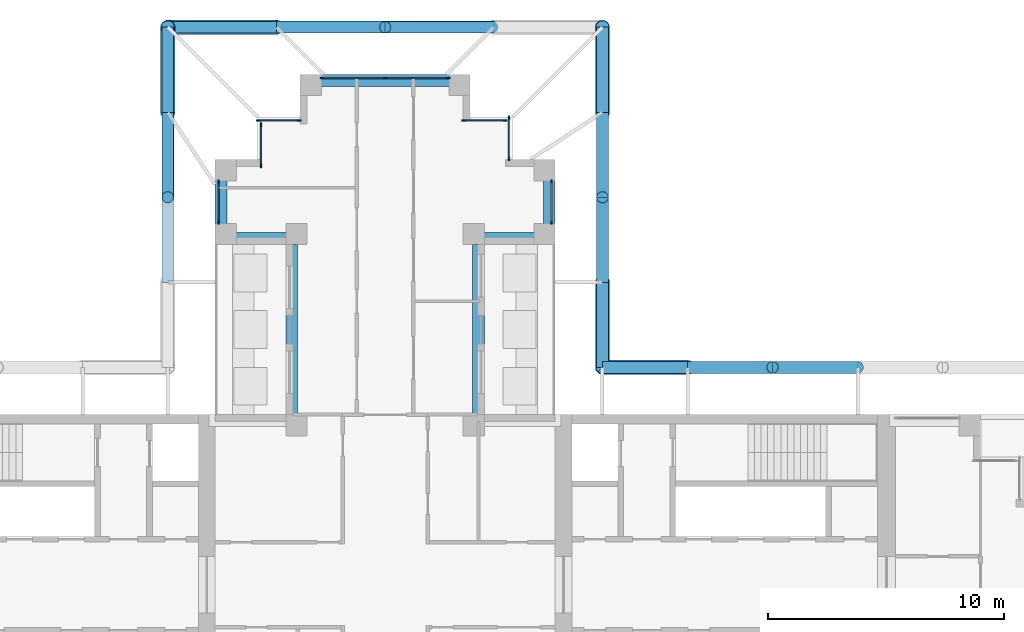
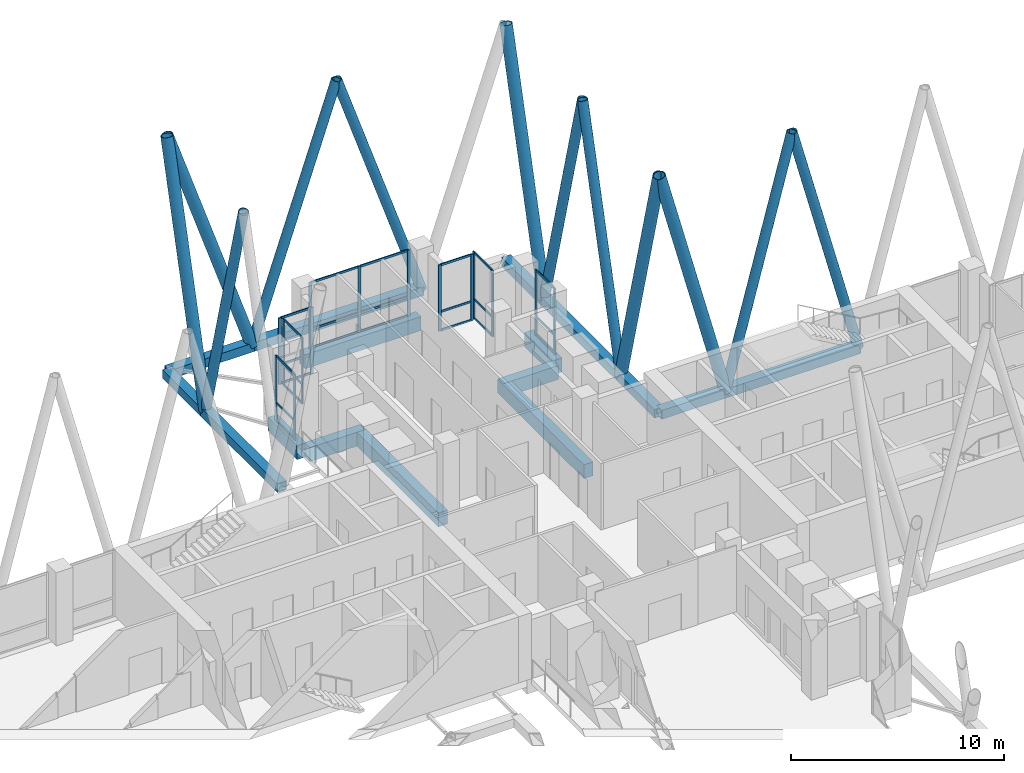
# One storey, part 6 of 19: 60 members, 7 beams, 7 elements without a shape of their own.
"""IFC4 building model written with IfcOpenShell, lengths in metres."""

from ifc_helpers import new_model, si_unit, direction, frame, origin, origin_2d, place, context, subcontext, project, spatial, rectangle, hollow_rectangle, hollow_circle, extrude, material, material_profile, profile_set, type_object, element, aggregate, save


model = new_model("IFC4")

# Units and contexts
model_context = context("Model", 3, precision=1e-05, world=origin(), true_north=direction((0.0, 1.0)))
body_context = subcontext(model_context, "Body", "Model", "MODEL_VIEW")
ifc_project = project(units=[si_unit("LENGTHUNIT", "METRE"), si_unit("AREAUNIT", "SQUARE_METRE"), si_unit("VOLUMEUNIT", "CUBIC_METRE"), si_unit("PLANEANGLEUNIT", "RADIAN"), si_unit("MASSUNIT", "GRAM", prefix="KILO")], contexts=[model_context])

# Site, building, storey
site_placement = place(None, origin())
site = spatial("IfcSite", under=ifc_project, at=site_placement, CompositionType="ELEMENT")
building_placement = place(site_placement, origin())
building = spatial("IfcBuilding", under=site, at=building_placement, Name="Fustian Cross Tower", CompositionType="ELEMENT")
storey_placement = place(building_placement, frame((0.0, 0.0, 166.5)))
storey = spatial("IfcBuildingStorey", under=building, at=storey_placement, Name="L52", CompositionType="ELEMENT", Elevation=166.5)

# Curtain wall, members
ifc_material_1 = material(Name="Dark anodised aluminium and double glazing", Category="aluminium")
curtain_wall_type = type_object("IfcCurtainWallType", Name="CW1 LOUNGE CURTAIN WALL", PredefinedType="NOTDEFINED", material=ifc_material_1)
curtain_wall_1_placement = place(storey_placement, origin())
curtain_wall_1 = element("IfcCurtainWall", 1, at=curtain_wall_1_placement, inside=storey, type_object=curtain_wall_type, Name="Curtain wall", PredefinedType="NOTDEFINED")
ifc_material_2 = material(Name="Aluminium alloy 6063", Category="aluminium")
ifc_material_profile_1 = material_profile(ifc_material_2, rectangle(XDim=0.06005859375, YDim=0.159912109375, at=origin_2d()), Name="CW1 MULLION 60X160")
ifc_profile_set_1 = profile_set([ifc_material_profile_1], Name="Aluminium alloy 6063")
member_type_1 = type_object("IfcMemberType", Name="CW1 MULLION 60X160", PredefinedType="MULLION", material=ifc_profile_set_1)
member_1_placement = place(storey_placement, frame((7.050048828125, 15.330078125, 0.0), z_axis=(0.0, 0.0, 1.0), x_axis=(-1.0, 0.0, 0.0)))
member_1 = element("IfcMember", 2, at=member_1_placement, type_object=member_type_1, Name="CW1 mullion 1", PredefinedType="MULLION", context=body_context, shape_type="SweptSolid", body=[
    extrude(rectangle(XDim=0.06005859375, YDim=0.159912109375, at=origin_2d()), origin(), (0.0, 0.0, 1.0), 3.800048828125),
])
member_2_placement = place(storey_placement, frame((7.050048828125, 17.070068359375, 0.0), z_axis=(0.0, 0.0, 1.0), x_axis=(-1.0, 0.0, 0.0)))
member_2 = element("IfcMember", 3, at=member_2_placement, type_object=member_type_1, Name="CW1 mullion 2", PredefinedType="MULLION", context=body_context, shape_type="SweptSolid", body=[
    extrude(rectangle(XDim=0.06005859375, YDim=0.159912109375, at=origin_2d()), origin(), (0.0, 0.0, 1.0), 3.800048828125),
])

curtain_wall_2_placement = place(storey_placement, origin())
curtain_wall_2 = element("IfcCurtainWall", 4, at=curtain_wall_2_placement, inside=storey, type_object=curtain_wall_type, Name="Curtain wall", PredefinedType="NOTDEFINED")
member_3_placement = place(storey_placement, frame((5.25, 18.030029296875, 0.0), z_axis=(0.0, 0.0, 1.0), x_axis=(-1.0, 0.0, 0.0)))
member_3 = element("IfcMember", 5, at=member_3_placement, type_object=member_type_1, Name="CW1 mullion 1", PredefinedType="MULLION", context=body_context, shape_type="SweptSolid", body=[
    extrude(rectangle(XDim=0.06005859375, YDim=0.159912109375, at=origin_2d()), origin(), (0.0, 0.0, 1.0), 3.800048828125),
])
member_4_placement = place(storey_placement, frame((5.25, 19.77001953125, 0.0), z_axis=(0.0, 0.0, 1.0), x_axis=(-1.0, 0.0, 0.0)))
member_4 = element("IfcMember", 6, at=member_4_placement, type_object=member_type_1, Name="CW1 mullion 2", PredefinedType="MULLION", context=body_context, shape_type="SweptSolid", body=[
    extrude(rectangle(XDim=0.06005859375, YDim=0.159912109375, at=origin_2d()), origin(), (0.0, 0.0, 1.0), 3.800048828125),
])

curtain_wall_3_placement = place(storey_placement, origin())
curtain_wall_3 = element("IfcCurtainWall", 7, at=curtain_wall_3_placement, inside=storey, type_object=curtain_wall_type, Name="Curtain wall", PredefinedType="NOTDEFINED")
member_5_placement = place(storey_placement, frame((5.070068359375, 19.64990234375, 0.0), z_axis=(0.0, 0.0, 1.0), x_axis=(0.0, -1.0, 0.0)))
member_5 = element("IfcMember", 8, at=member_5_placement, type_object=member_type_1, Name="CW1 mullion 1", PredefinedType="MULLION", context=body_context, shape_type="SweptSolid", body=[
    extrude(rectangle(XDim=0.06005859375, YDim=0.159912109375, at=origin_2d()), origin(), (0.0, 0.0, 1.0), 3.800048828125),
])
member_6_placement = place(storey_placement, frame((3.330078125, 19.64990234375, 0.0), z_axis=(0.0, 0.0, 1.0), x_axis=(0.0, -1.0, 0.0)))
member_6 = element("IfcMember", 9, at=member_6_placement, type_object=member_type_1, Name="CW1 mullion 2", PredefinedType="MULLION", context=body_context, shape_type="SweptSolid", body=[
    extrude(rectangle(XDim=0.06005859375, YDim=0.159912109375, at=origin_2d()), origin(), (0.0, 0.0, 1.0), 3.800048828125),
])

curtain_wall_4_placement = place(storey_placement, origin())
curtain_wall_4 = element("IfcCurtainWall", 10, at=curtain_wall_4_placement, inside=storey, type_object=curtain_wall_type, Name="Curtain wall", PredefinedType="NOTDEFINED")
member_7_placement = place(storey_placement, frame((2.669921875, 21.449951171875, 0.0), z_axis=(0.0, 0.0, 1.0), x_axis=(0.0, -1.0, 0.0)))
member_7 = element("IfcMember", 11, at=member_7_placement, type_object=member_type_1, Name="CW1 mullion 1", PredefinedType="MULLION", context=body_context, shape_type="SweptSolid", body=[
    extrude(rectangle(XDim=0.06005859375, YDim=0.159912109375, at=origin_2d()), origin(), (0.0, 0.0, 1.0), 3.800048828125),
])
member_8_placement = place(storey_placement, frame((0.0, 21.449951171875, 0.0), z_axis=(0.0, 0.0, 1.0), x_axis=(0.0, -1.0, 0.0)))
member_8 = element("IfcMember", 12, at=member_8_placement, type_object=member_type_1, Name="CW1 mullion 2", PredefinedType="MULLION", context=body_context, shape_type="SweptSolid", body=[
    extrude(rectangle(XDim=0.06005859375, YDim=0.159912109375, at=origin_2d()), origin(), (0.0, 0.0, 1.0), 3.800048828125),
])
member_9_placement = place(storey_placement, frame((-2.669921875, 21.449951171875, 0.0), z_axis=(0.0, 0.0, 1.0), x_axis=(0.0, -1.0, 0.0)))
member_9 = element("IfcMember", 13, at=member_9_placement, type_object=member_type_1, Name="CW1 mullion 3", PredefinedType="MULLION", context=body_context, shape_type="SweptSolid", body=[
    extrude(rectangle(XDim=0.06005859375, YDim=0.159912109375, at=origin_2d()), origin(), (0.0, 0.0, 1.0), 3.800048828125),
])

curtain_wall_5_placement = place(storey_placement, origin())
curtain_wall_5 = element("IfcCurtainWall", 14, at=curtain_wall_5_placement, inside=storey, type_object=curtain_wall_type, Name="Curtain wall", PredefinedType="NOTDEFINED")
member_10_placement = place(storey_placement, frame((-3.6298828125, 19.64990234375, 0.0), z_axis=(0.0, 0.0, 1.0), x_axis=(0.0, -1.0, 0.0)))
member_10 = element("IfcMember", 15, at=member_10_placement, type_object=member_type_1, Name="CW1 mullion 1", PredefinedType="MULLION", context=body_context, shape_type="SweptSolid", body=[
    extrude(rectangle(XDim=0.06005859375, YDim=0.159912109375, at=origin_2d()), origin(), (0.0, 0.0, 1.0), 3.800048828125),
])
member_11_placement = place(storey_placement, frame((-5.3701171875, 19.64990234375, 0.0), z_axis=(0.0, 0.0, 1.0), x_axis=(0.0, -1.0, 0.0)))
member_11 = element("IfcMember", 16, at=member_11_placement, type_object=member_type_1, Name="CW1 mullion 2", PredefinedType="MULLION", context=body_context, shape_type="SweptSolid", body=[
    extrude(rectangle(XDim=0.06005859375, YDim=0.159912109375, at=origin_2d()), origin(), (0.0, 0.0, 1.0), 3.800048828125),
])

curtain_wall_6_placement = place(storey_placement, origin())
curtain_wall_6 = element("IfcCurtainWall", 17, at=curtain_wall_6_placement, inside=storey, type_object=curtain_wall_type, Name="Curtain wall", PredefinedType="NOTDEFINED")
member_12_placement = place(storey_placement, frame((-5.25, 19.469970703125, 0.0), z_axis=(0.0, 0.0, 1.0), x_axis=(1.0, 0.0, 0.0)))
member_12 = element("IfcMember", 18, at=member_12_placement, type_object=member_type_1, Name="CW1 mullion 1", PredefinedType="MULLION", context=body_context, shape_type="SweptSolid", body=[
    extrude(rectangle(XDim=0.06005859375, YDim=0.159912109375, at=origin_2d()), origin(), (0.0, 0.0, 1.0), 3.800048828125),
])
member_13_placement = place(storey_placement, frame((-5.25, 17.72998046875, 0.0), z_axis=(0.0, 0.0, 1.0), x_axis=(1.0, 0.0, 0.0)))
member_13 = element("IfcMember", 19, at=member_13_placement, type_object=member_type_1, Name="CW1 mullion 2", PredefinedType="MULLION", context=body_context, shape_type="SweptSolid", body=[
    extrude(rectangle(XDim=0.06005859375, YDim=0.159912109375, at=origin_2d()), origin(), (0.0, 0.0, 1.0), 3.800048828125),
])

curtain_wall_7_placement = place(storey_placement, origin())
curtain_wall_7 = element("IfcCurtainWall", 20, at=curtain_wall_7_placement, inside=storey, type_object=curtain_wall_type, Name="Curtain wall", PredefinedType="NOTDEFINED")
member_14_placement = place(storey_placement, frame((-7.050048828125, 17.070068359375, 0.0), z_axis=(0.0, 0.0, 1.0), x_axis=(1.0, 0.0, 0.0)))
member_14 = element("IfcMember", 21, at=member_14_placement, type_object=member_type_1, Name="CW1 mullion 1", PredefinedType="MULLION", context=body_context, shape_type="SweptSolid", body=[
    extrude(rectangle(XDim=0.06005859375, YDim=0.159912109375, at=origin_2d()), origin(), (0.0, 0.0, 1.0), 3.800048828125),
])
member_15_placement = place(storey_placement, frame((-7.050048828125, 15.330078125, 0.0), z_axis=(0.0, 0.0, 1.0), x_axis=(1.0, 0.0, 0.0)))
member_15 = element("IfcMember", 22, at=member_15_placement, type_object=member_type_1, Name="CW1 mullion 2", PredefinedType="MULLION", context=body_context, shape_type="SweptSolid", body=[
    extrude(rectangle(XDim=0.06005859375, YDim=0.159912109375, at=origin_2d()), origin(), (0.0, 0.0, 1.0), 3.800048828125),
])

# Member
ifc_material_3 = material(Name="Aluminium alloy 6063", Category="aluminium")
ifc_material_profile_2 = material_profile(ifc_material_3, rectangle(XDim=0.06005859375, YDim=0.1201171875, at=origin_2d()), Name="CW1 TRANSOM 60X120")
ifc_profile_set_2 = profile_set([ifc_material_profile_2], Name="Aluminium alloy 6063")
member_type_2 = type_object("IfcMemberType", Name="CW1 TRANSOM 60X120", PredefinedType="USERDEFINED", material=ifc_profile_set_2)
member_16_placement = place(storey_placement, frame((7.050048828125, 15.360107421875, 0.030029296875), z_axis=(0.0, 1.0, 0.0), x_axis=(-1.0, 0.0, 0.0)))
member_16 = element("IfcMember", 23, at=member_16_placement, type_object=member_type_2, Name="CW1 transom 1.1", ObjectType="TRANSOM", PredefinedType="USERDEFINED", context=body_context, shape_type="SweptSolid", body=[
    extrude(rectangle(XDim=0.06005859375, YDim=0.1201171875, at=origin_2d()), origin(), (0.0, 0.0, 1.0), 1.679931640625),
])

member_17_placement = place(storey_placement, frame((7.050048828125, 15.360107421875, 1.10009765625), z_axis=(0.0, 1.0, 0.0), x_axis=(-1.0, 0.0, 0.0)))
member_17 = element("IfcMember", 24, at=member_17_placement, type_object=member_type_2, Name="CW1 transom 1.2", ObjectType="TRANSOM", PredefinedType="USERDEFINED", context=body_context, shape_type="SweptSolid", body=[
    extrude(rectangle(XDim=0.06005859375, YDim=0.1201171875, at=origin_2d()), origin(), (0.0, 0.0, 1.0), 1.679931640625),
])

member_18_placement = place(storey_placement, frame((7.050048828125, 15.360107421875, 3.77001953125), z_axis=(0.0, 1.0, 0.0), x_axis=(-1.0, 0.0, 0.0)))
member_18 = element("IfcMember", 25, at=member_18_placement, type_object=member_type_2, Name="CW1 transom 1.3", ObjectType="TRANSOM", PredefinedType="USERDEFINED", context=body_context, shape_type="SweptSolid", body=[
    extrude(rectangle(XDim=0.06005859375, YDim=0.1201171875, at=origin_2d()), origin(), (0.0, 0.0, 1.0), 1.679931640625),
])

aggregate(curtain_wall_1, [member_1, member_2, member_16, member_17, member_18])

member_19_placement = place(storey_placement, frame((5.25, 18.06005859375, 0.030029296875), z_axis=(0.0, 1.0, 0.0), x_axis=(-1.0, 0.0, 0.0)))
member_19 = element("IfcMember", 26, at=member_19_placement, type_object=member_type_2, Name="CW1 transom 1.1", ObjectType="TRANSOM", PredefinedType="USERDEFINED", context=body_context, shape_type="SweptSolid", body=[
    extrude(rectangle(XDim=0.06005859375, YDim=0.1201171875, at=origin_2d()), origin(), (0.0, 0.0, 1.0), 1.679931640625),
])

member_20_placement = place(storey_placement, frame((5.25, 18.06005859375, 1.10009765625), z_axis=(0.0, 1.0, 0.0), x_axis=(-1.0, 0.0, 0.0)))
member_20 = element("IfcMember", 27, at=member_20_placement, type_object=member_type_2, Name="CW1 transom 1.2", ObjectType="TRANSOM", PredefinedType="USERDEFINED", context=body_context, shape_type="SweptSolid", body=[
    extrude(rectangle(XDim=0.06005859375, YDim=0.1201171875, at=origin_2d()), origin(), (0.0, 0.0, 1.0), 1.679931640625),
])

member_21_placement = place(storey_placement, frame((5.25, 18.06005859375, 3.77001953125), z_axis=(0.0, 1.0, 0.0), x_axis=(-1.0, 0.0, 0.0)))
member_21 = element("IfcMember", 28, at=member_21_placement, type_object=member_type_2, Name="CW1 transom 1.3", ObjectType="TRANSOM", PredefinedType="USERDEFINED", context=body_context, shape_type="SweptSolid", body=[
    extrude(rectangle(XDim=0.06005859375, YDim=0.1201171875, at=origin_2d()), origin(), (0.0, 0.0, 1.0), 1.679931640625),
])

aggregate(curtain_wall_2, [member_3, member_4, member_19, member_20, member_21])

member_22_placement = place(storey_placement, frame((5.0400390625, 19.64990234375, 0.030029296875), z_axis=(-1.0, 0.0, 0.0), x_axis=(0.0, -1.0, 0.0)))
member_22 = element("IfcMember", 29, at=member_22_placement, type_object=member_type_2, Name="CW1 transom 1.1", ObjectType="TRANSOM", PredefinedType="USERDEFINED", context=body_context, shape_type="SweptSolid", body=[
    extrude(rectangle(XDim=0.06005859375, YDim=0.1201171875, at=origin_2d()), origin(), (0.0, 0.0, 1.0), 1.679931640625),
])

member_23_placement = place(storey_placement, frame((5.0400390625, 19.64990234375, 1.10009765625), z_axis=(-1.0, 0.0, 0.0), x_axis=(0.0, -1.0, 0.0)))
member_23 = element("IfcMember", 30, at=member_23_placement, type_object=member_type_2, Name="CW1 transom 1.2", ObjectType="TRANSOM", PredefinedType="USERDEFINED", context=body_context, shape_type="SweptSolid", body=[
    extrude(rectangle(XDim=0.06005859375, YDim=0.1201171875, at=origin_2d()), origin(), (0.0, 0.0, 1.0), 1.679931640625),
])

member_24_placement = place(storey_placement, frame((5.0400390625, 19.64990234375, 3.77001953125), z_axis=(-1.0, 0.0, 0.0), x_axis=(0.0, -1.0, 0.0)))
member_24 = element("IfcMember", 31, at=member_24_placement, type_object=member_type_2, Name="CW1 transom 1.3", ObjectType="TRANSOM", PredefinedType="USERDEFINED", context=body_context, shape_type="SweptSolid", body=[
    extrude(rectangle(XDim=0.06005859375, YDim=0.1201171875, at=origin_2d()), origin(), (0.0, 0.0, 1.0), 1.679931640625),
])

aggregate(curtain_wall_3, [member_5, member_6, member_22, member_23, member_24])

member_25_placement = place(storey_placement, frame((2.639892578125, 21.449951171875, 0.030029296875), z_axis=(-1.0, 0.0, 0.0), x_axis=(0.0, -1.0, 0.0)))
member_25 = element("IfcMember", 32, at=member_25_placement, type_object=member_type_2, Name="CW1 transom 1.1", ObjectType="TRANSOM", PredefinedType="USERDEFINED", context=body_context, shape_type="SweptSolid", body=[
    extrude(rectangle(XDim=0.06005859375, YDim=0.1201171875, at=origin_2d()), origin(), (0.0, 0.0, 1.0), 2.60986328125),
])

member_26_placement = place(storey_placement, frame((2.639892578125, 21.449951171875, 1.10009765625), z_axis=(-1.0, 0.0, 0.0), x_axis=(0.0, -1.0, 0.0)))
member_26 = element("IfcMember", 33, at=member_26_placement, type_object=member_type_2, Name="CW1 transom 1.2", ObjectType="TRANSOM", PredefinedType="USERDEFINED", context=body_context, shape_type="SweptSolid", body=[
    extrude(rectangle(XDim=0.06005859375, YDim=0.1201171875, at=origin_2d()), origin(), (0.0, 0.0, 1.0), 2.60986328125),
])

member_27_placement = place(storey_placement, frame((2.639892578125, 21.449951171875, 3.77001953125), z_axis=(-1.0, 0.0, 0.0), x_axis=(0.0, -1.0, 0.0)))
member_27 = element("IfcMember", 34, at=member_27_placement, type_object=member_type_2, Name="CW1 transom 1.3", ObjectType="TRANSOM", PredefinedType="USERDEFINED", context=body_context, shape_type="SweptSolid", body=[
    extrude(rectangle(XDim=0.06005859375, YDim=0.1201171875, at=origin_2d()), origin(), (0.0, 0.0, 1.0), 2.60986328125),
])

member_28_placement = place(storey_placement, frame((-0.030029296875, 21.449951171875, 0.030029296875), z_axis=(-1.0, 0.0, 0.0), x_axis=(0.0, -1.0, 0.0)))
member_28 = element("IfcMember", 35, at=member_28_placement, type_object=member_type_2, Name="CW1 transom 2.1", ObjectType="TRANSOM", PredefinedType="USERDEFINED", context=body_context, shape_type="SweptSolid", body=[
    extrude(rectangle(XDim=0.06005859375, YDim=0.1201171875, at=origin_2d()), origin(), (0.0, 0.0, 1.0), 2.60986328125),
])

member_29_placement = place(storey_placement, frame((-0.030029296875, 21.449951171875, 1.10009765625), z_axis=(-1.0, 0.0, 0.0), x_axis=(0.0, -1.0, 0.0)))
member_29 = element("IfcMember", 36, at=member_29_placement, type_object=member_type_2, Name="CW1 transom 2.2", ObjectType="TRANSOM", PredefinedType="USERDEFINED", context=body_context, shape_type="SweptSolid", body=[
    extrude(rectangle(XDim=0.06005859375, YDim=0.1201171875, at=origin_2d()), origin(), (0.0, 0.0, 1.0), 2.60986328125),
])

member_30_placement = place(storey_placement, frame((-0.030029296875, 21.449951171875, 3.77001953125), z_axis=(-1.0, 0.0, 0.0), x_axis=(0.0, -1.0, 0.0)))
member_30 = element("IfcMember", 37, at=member_30_placement, type_object=member_type_2, Name="CW1 transom 2.3", ObjectType="TRANSOM", PredefinedType="USERDEFINED", context=body_context, shape_type="SweptSolid", body=[
    extrude(rectangle(XDim=0.06005859375, YDim=0.1201171875, at=origin_2d()), origin(), (0.0, 0.0, 1.0), 2.60986328125),
])

aggregate(curtain_wall_4, [member_7, member_8, member_9, member_25, member_26, member_27, member_28, member_29, member_30])

member_31_placement = place(storey_placement, frame((-3.659912109375, 19.64990234375, 0.030029296875), z_axis=(-1.0, 0.0, 0.0), x_axis=(0.0, -1.0, 0.0)))
member_31 = element("IfcMember", 38, at=member_31_placement, type_object=member_type_2, Name="CW1 transom 1.1", ObjectType="TRANSOM", PredefinedType="USERDEFINED", context=body_context, shape_type="SweptSolid", body=[
    extrude(rectangle(XDim=0.06005859375, YDim=0.1201171875, at=origin_2d()), origin(), (0.0, 0.0, 1.0), 1.68017578125),
])

member_32_placement = place(storey_placement, frame((-3.659912109375, 19.64990234375, 1.10009765625), z_axis=(-1.0, 0.0, 0.0), x_axis=(0.0, -1.0, 0.0)))
member_32 = element("IfcMember", 39, at=member_32_placement, type_object=member_type_2, Name="CW1 transom 1.2", ObjectType="TRANSOM", PredefinedType="USERDEFINED", context=body_context, shape_type="SweptSolid", body=[
    extrude(rectangle(XDim=0.06005859375, YDim=0.1201171875, at=origin_2d()), origin(), (0.0, 0.0, 1.0), 1.68017578125),
])

member_33_placement = place(storey_placement, frame((-3.659912109375, 19.64990234375, 3.77001953125), z_axis=(-1.0, 0.0, 0.0), x_axis=(0.0, -1.0, 0.0)))
member_33 = element("IfcMember", 40, at=member_33_placement, type_object=member_type_2, Name="CW1 transom 1.3", ObjectType="TRANSOM", PredefinedType="USERDEFINED", context=body_context, shape_type="SweptSolid", body=[
    extrude(rectangle(XDim=0.06005859375, YDim=0.1201171875, at=origin_2d()), origin(), (0.0, 0.0, 1.0), 1.68017578125),
])

aggregate(curtain_wall_5, [member_10, member_11, member_31, member_32, member_33])

member_34_placement = place(storey_placement, frame((-5.25, 19.43994140625, 0.030029296875), z_axis=(0.0, -1.0, 0.0), x_axis=(1.0, 0.0, 0.0)))
member_34 = element("IfcMember", 41, at=member_34_placement, type_object=member_type_2, Name="CW1 transom 1.1", ObjectType="TRANSOM", PredefinedType="USERDEFINED", context=body_context, shape_type="SweptSolid", body=[
    extrude(rectangle(XDim=0.06005859375, YDim=0.1201171875, at=origin_2d()), origin(), (0.0, 0.0, 1.0), 1.679931640625),
])

member_35_placement = place(storey_placement, frame((-5.25, 19.43994140625, 1.10009765625), z_axis=(0.0, -1.0, 0.0), x_axis=(1.0, 0.0, 0.0)))
member_35 = element("IfcMember", 42, at=member_35_placement, type_object=member_type_2, Name="CW1 transom 1.2", ObjectType="TRANSOM", PredefinedType="USERDEFINED", context=body_context, shape_type="SweptSolid", body=[
    extrude(rectangle(XDim=0.06005859375, YDim=0.1201171875, at=origin_2d()), origin(), (0.0, 0.0, 1.0), 1.679931640625),
])

member_36_placement = place(storey_placement, frame((-5.25, 19.43994140625, 3.77001953125), z_axis=(0.0, -1.0, 0.0), x_axis=(1.0, 0.0, 0.0)))
member_36 = element("IfcMember", 43, at=member_36_placement, type_object=member_type_2, Name="CW1 transom 1.3", ObjectType="TRANSOM", PredefinedType="USERDEFINED", context=body_context, shape_type="SweptSolid", body=[
    extrude(rectangle(XDim=0.06005859375, YDim=0.1201171875, at=origin_2d()), origin(), (0.0, 0.0, 1.0), 1.679931640625),
])

aggregate(curtain_wall_6, [member_12, member_13, member_34, member_35, member_36])

member_37_placement = place(storey_placement, frame((-7.050048828125, 17.0400390625, 0.030029296875), z_axis=(0.0, -1.0, 0.0), x_axis=(1.0, 0.0, 0.0)))
member_37 = element("IfcMember", 44, at=member_37_placement, type_object=member_type_2, Name="CW1 transom 1.1", ObjectType="TRANSOM", PredefinedType="USERDEFINED", context=body_context, shape_type="SweptSolid", body=[
    extrude(rectangle(XDim=0.06005859375, YDim=0.1201171875, at=origin_2d()), origin(), (0.0, 0.0, 1.0), 1.679931640625),
])

member_38_placement = place(storey_placement, frame((-7.050048828125, 17.0400390625, 1.10009765625), z_axis=(0.0, -1.0, 0.0), x_axis=(1.0, 0.0, 0.0)))
member_38 = element("IfcMember", 45, at=member_38_placement, type_object=member_type_2, Name="CW1 transom 1.2", ObjectType="TRANSOM", PredefinedType="USERDEFINED", context=body_context, shape_type="SweptSolid", body=[
    extrude(rectangle(XDim=0.06005859375, YDim=0.1201171875, at=origin_2d()), origin(), (0.0, 0.0, 1.0), 1.679931640625),
])

member_39_placement = place(storey_placement, frame((-7.050048828125, 17.0400390625, 3.77001953125), z_axis=(0.0, -1.0, 0.0), x_axis=(1.0, 0.0, 0.0)))
member_39 = element("IfcMember", 46, at=member_39_placement, type_object=member_type_2, Name="CW1 transom 1.3", ObjectType="TRANSOM", PredefinedType="USERDEFINED", context=body_context, shape_type="SweptSolid", body=[
    extrude(rectangle(XDim=0.06005859375, YDim=0.1201171875, at=origin_2d()), origin(), (0.0, 0.0, 1.0), 1.679931640625),
])

aggregate(curtain_wall_7, [member_14, member_15, member_37, member_38, member_39])

# Members
ifc_material_4 = material(Name="Steel S355", Category="steel")
ifc_material_profile_3 = material_profile(ifc_material_4, hollow_circle(Radius=0.25390625, WallThickness=0.02001953125, at=origin_2d()), Name="CHS 508x20")
ifc_profile_set_3 = profile_set([ifc_material_profile_3], Name="Steel S355")
member_type_3 = type_object("IfcMemberType", Name="DIAGRID DIAGONAL CHS 508x20", PredefinedType="BRACE", material=ifc_profile_set_3)
member_40_placement = place(storey_placement, frame((20.0, 9.199951171875, -0.39990234375), z_axis=(-0.255901623089, 0.0, 0.966702828847), x_axis=(0.0, -1.0, 0.0)))
element("IfcMember", 47, at=member_40_placement, inside=storey, type_object=member_type_3, Name="Diagrid diagonal E-N 04", PredefinedType="BRACE", context=body_context, shape_type="SweptSolid", body=[
    extrude(hollow_circle(Radius=0.25390625, WallThickness=0.02001953125, at=origin_2d()), origin(), (0.0, 0.0, 1.0), 14.068359375),
])
for number, where, z_axis, x_axis, name in (
    (48, (12.800048828125, 9.199951171875, -0.39990234375), (0.255885405448, 0.0, 0.966707121769), (0.0, 1.0, 0.0), "Diagrid diagonal E-N 05"),
    (49, (9.199951171875, 12.800048828125, -0.39990234375), (0.0, 0.255885405448, 0.966707121769), (-1.0, 0.0, 0.0), "Diagrid diagonal N-E 02"),
):
    element("IfcMember", number, at=place(storey_placement, frame(where, z_axis=z_axis, x_axis=x_axis)), inside=storey, type_object=member_type_3, Name=name, PredefinedType="BRACE", context=body_context, shape_type="SweptSolid", body=[
        extrude(hollow_circle(Radius=0.25390625, WallThickness=0.02001953125, at=origin_2d()), origin(), (0.0, 0.0, 1.0), 14.068115234375),
    ])
member_41_placement = place(storey_placement, frame((9.199951171875, 20.0, -0.39990234375), z_axis=(0.0, -0.255901623089, 0.966702828847), x_axis=(1.0, 0.0, 0.0)))
element("IfcMember", 50, at=member_41_placement, inside=storey, type_object=member_type_3, Name="Diagrid diagonal N-E 03", PredefinedType="BRACE", context=body_context, shape_type="SweptSolid", body=[
    extrude(hollow_circle(Radius=0.25390625, WallThickness=0.02001953125, at=origin_2d()), origin(), (0.0, 0.0, 1.0), 14.068359375),
])
for number, where, z_axis, x_axis, name in (
    (51, (4.60009765625, 23.60009765625, -0.39990234375), (-0.320413079221, 0.0, 0.947277920498), (0.0, -1.0, 0.0), "Diagrid diagonal N-end 02"),
    (52, (-4.60009765625, 23.60009765625, -0.39990234375), (0.320413079221, 0.0, 0.947277920498), (0.0, 1.0, 0.0), "Diagrid diagonal N-end 03"),
):
    element("IfcMember", number, at=place(storey_placement, frame(where, z_axis=z_axis, x_axis=x_axis)), inside=storey, type_object=member_type_3, Name=name, PredefinedType="BRACE", context=body_context, shape_type="SweptSolid", body=[
        extrude(hollow_circle(Radius=0.25390625, WallThickness=0.02001953125, at=origin_2d()), origin(), (0.0, 0.0, 1.0), 14.356689453125),
    ])
member_42_placement = place(storey_placement, frame((-9.199951171875, 20.0, -0.39990234375), z_axis=(0.0, -0.255901623089, 0.966702828847), x_axis=(1.0, 0.0, 0.0)))
element("IfcMember", 53, at=member_42_placement, inside=storey, type_object=member_type_3, Name="Diagrid diagonal N-W 02", PredefinedType="BRACE", context=body_context, shape_type="SweptSolid", body=[
    extrude(hollow_circle(Radius=0.25390625, WallThickness=0.02001953125, at=origin_2d()), origin(), (0.0, 0.0, 1.0), 14.068359375),
])
ifc_material_5 = material(Name="Steel S355", Category="steel")
ifc_material_profile_4 = material_profile(ifc_material_5, hollow_circle(Radius=0.3046875, WallThickness=0.02490234375, at=origin_2d()), Name="CHS 610x25")
ifc_profile_set_4 = profile_set([ifc_material_profile_4], Name="Steel S355")
member_type_4 = type_object("IfcMemberType", Name="DIAGRID DIAGONAL CHS 610x25", PredefinedType="BRACE", material=ifc_profile_set_4)
for number, where, z_axis, x_axis, name in (
    (54, (12.800048828125, 9.199951171875, -0.39990234375), (-0.255901623089, 0.0, 0.966702828847), (0.0, -1.0, 0.0), "Diagrid diagonal E-N 06"),
    (55, (9.199951171875, 12.800048828125, -0.39990234375), (0.0, -0.255901623089, 0.966702828847), (1.0, 0.0, 0.0), "Diagrid diagonal N-E 01"),
    (56, (9.199951171875, 20.0, -0.39990234375), (0.0, 0.255901623089, 0.966702828847), (-1.0, 0.0, 0.0), "Diagrid diagonal N-E 04"),
):
    element("IfcMember", number, at=place(storey_placement, frame(where, z_axis=z_axis, x_axis=x_axis)), inside=storey, type_object=member_type_4, Name=name, PredefinedType="BRACE", context=body_context, shape_type="SweptSolid", body=[
        extrude(hollow_circle(Radius=0.3046875, WallThickness=0.02490234375, at=origin_2d()), origin(), (0.0, 0.0, 1.0), 14.068359375),
    ])
member_43_placement = place(storey_placement, frame((-4.60009765625, 23.60009765625, -0.39990234375), z_axis=(-0.320397819675, 0.0, 0.947283081844), x_axis=(0.0, -1.0, 0.0)))
element("IfcMember", 57, at=member_43_placement, inside=storey, type_object=member_type_4, Name="Diagrid diagonal N-end 04", PredefinedType="BRACE", context=body_context, shape_type="SweptSolid", body=[
    extrude(hollow_circle(Radius=0.3046875, WallThickness=0.02490234375, at=origin_2d()), origin(), (0.0, 0.0, 1.0), 14.356689453125),
])
member_44_placement = place(storey_placement, frame((-9.199951171875, 20.0, -0.39990234375), z_axis=(0.0, 0.255901623089, 0.966702828847), x_axis=(-1.0, 0.0, 0.0)))
element("IfcMember", 58, at=member_44_placement, inside=storey, type_object=member_type_4, Name="Diagrid diagonal N-W 01", PredefinedType="BRACE", context=body_context, shape_type="SweptSolid", body=[
    extrude(hollow_circle(Radius=0.3046875, WallThickness=0.02490234375, at=origin_2d()), origin(), (0.0, 0.0, 1.0), 14.068359375),
])
ifc_material_6 = material(Name="Steel S355", Category="steel")
ifc_material_profile_5 = material_profile(ifc_material_6, hollow_rectangle(XDim=0.5, YDim=0.5, WallThickness=0.02490234375, at=origin_2d()), Name="RHS 500x500x25")
ifc_profile_set_5 = profile_set([ifc_material_profile_5], Name="Steel S355")
member_type_5 = type_object("IfcMemberType", Name="DIAGRID RING RHS 500x500x25", PredefinedType="MEMBER", material=ifc_profile_set_5)
member_45_placement = place(storey_placement, frame((20.0, 9.199951171875, -0.39990234375), z_axis=(-1.0, 0.0, 0.0), x_axis=(0.0, -1.0, 0.0)))
element("IfcMember", 59, at=member_45_placement, inside=storey, type_object=member_type_5, Name="Diagrid ring L52-08 L52-09", PredefinedType="MEMBER", context=body_context, shape_type="SweptSolid", body=[
    extrude(hollow_rectangle(XDim=0.5, YDim=0.5, WallThickness=0.02490234375, at=origin_2d()), origin(), (0.0, 0.0, 1.0), 7.199951171875),
])
for number, where, z_axis, x_axis, name in (
    (60, (12.800048828125, 9.199951171875, -0.39990234375), (-1.0, 0.0, 0.0), (0.0, -1.0, 0.0), "Diagrid ring L52-09 L52-10"),
    (61, (9.199951171875, 9.199951171875, -0.39990234375), (0.0, 1.0, 0.0), (-1.0, 0.0, 0.0), "Diagrid ring L52-10 L52-11"),
):
    element("IfcMember", number, at=place(storey_placement, frame(where, z_axis=z_axis, x_axis=x_axis)), inside=storey, type_object=member_type_5, Name=name, PredefinedType="MEMBER", context=body_context, shape_type="SweptSolid", body=[
        extrude(hollow_rectangle(XDim=0.5, YDim=0.5, WallThickness=0.02490234375, at=origin_2d()), origin(), (0.0, 0.0, 1.0), 3.60009765625),
    ])
member_46_placement = place(storey_placement, frame((9.199951171875, 12.800048828125, -0.39990234375), z_axis=(0.0, 1.0, 0.0), x_axis=(-1.0, 0.0, 0.0)))
element("IfcMember", 62, at=member_46_placement, inside=storey, type_object=member_type_5, Name="Diagrid ring L52-11 L52-12", PredefinedType="MEMBER", context=body_context, shape_type="SweptSolid", body=[
    extrude(hollow_rectangle(XDim=0.5, YDim=0.5, WallThickness=0.02490234375, at=origin_2d()), origin(), (0.0, 0.0, 1.0), 7.199951171875),
])
member_47_placement = place(storey_placement, frame((9.199951171875, 20.0, -0.39990234375), z_axis=(0.0, 1.0, 0.0), x_axis=(-1.0, 0.0, 0.0)))
element("IfcMember", 63, at=member_47_placement, inside=storey, type_object=member_type_5, Name="Diagrid ring L52-12 L52-13", PredefinedType="MEMBER", context=body_context, shape_type="SweptSolid", body=[
    extrude(hollow_rectangle(XDim=0.5, YDim=0.5, WallThickness=0.02490234375, at=origin_2d()), origin(), (0.0, 0.0, 1.0), 3.60009765625),
])
member_48_placement = place(storey_placement, frame((4.60009765625, 23.60009765625, -0.39990234375), z_axis=(-1.0, 0.0, 0.0), x_axis=(0.0, -1.0, 0.0)))
element("IfcMember", 64, at=member_48_placement, inside=storey, type_object=member_type_5, Name="Diagrid ring L52-14 L52-15", PredefinedType="MEMBER", context=body_context, shape_type="SweptSolid", body=[
    extrude(hollow_rectangle(XDim=0.5, YDim=0.5, WallThickness=0.02490234375, at=origin_2d()), origin(), (0.0, 0.0, 1.0), 9.2001953125),
])
member_49_placement = place(storey_placement, frame((-4.60009765625, 23.60009765625, -0.39990234375), z_axis=(-1.0, 0.0, 0.0), x_axis=(0.0, -1.0, 0.0)))
element("IfcMember", 65, at=member_49_placement, inside=storey, type_object=member_type_5, Name="Diagrid ring L52-15 L52-16", PredefinedType="MEMBER", context=body_context, shape_type="SweptSolid", body=[
    extrude(hollow_rectangle(XDim=0.5, YDim=0.5, WallThickness=0.02490234375, at=origin_2d()), origin(), (0.0, 0.0, 1.0), 4.599853515625),
])
member_50_placement = place(storey_placement, frame((-9.199951171875, 23.60009765625, -0.39990234375), z_axis=(0.0, -1.0, 0.0), x_axis=(1.0, 0.0, 0.0)))
element("IfcMember", 66, at=member_50_placement, inside=storey, type_object=member_type_5, Name="Diagrid ring L52-16 L52-17", PredefinedType="MEMBER", context=body_context, shape_type="SweptSolid", body=[
    extrude(hollow_rectangle(XDim=0.5, YDim=0.5, WallThickness=0.02490234375, at=origin_2d()), origin(), (0.0, 0.0, 1.0), 3.60009765625),
])
member_51_placement = place(storey_placement, frame((-9.199951171875, 20.0, -0.39990234375), z_axis=(0.0, -1.0, 0.0), x_axis=(1.0, 0.0, 0.0)))
element("IfcMember", 67, at=member_51_placement, inside=storey, type_object=member_type_5, Name="Diagrid ring L52-17 L52-18", PredefinedType="MEMBER", context=body_context, shape_type="SweptSolid", body=[
    extrude(hollow_rectangle(XDim=0.5, YDim=0.5, WallThickness=0.02490234375, at=origin_2d()), origin(), (0.0, 0.0, 1.0), 7.199951171875),
])

# Beams
ifc_material_7 = material(Name="Concrete C50/60", Category="concrete")
ifc_material_profile_6 = material_profile(ifc_material_7, rectangle(XDim=0.5, YDim=0.800048828125, at=origin_2d()), Name="RC 500x800")
ifc_profile_set_6 = profile_set([ifc_material_profile_6], Name="Concrete C50/60")
beam_type = type_object("IfcBeamType", Name="EDGE BEAM RC 500x800 C50/60", PredefinedType="SPANDREL", material=ifc_profile_set_6)
beam_1_placement = place(storey_placement, frame((3.949951171875, 6.75, -0.39990234375), z_axis=(0.0, 1.0, 0.0), x_axis=(-1.0, 0.0, 0.0)))
element("IfcBeam", 68, at=beam_1_placement, inside=storey, type_object=beam_type, Name="EDGE BEAM L52-04", PredefinedType="SPANDREL", context=body_context, shape_type="SweptSolid", body=[
    extrude(rectangle(XDim=0.5, YDim=0.800048828125, at=origin_2d()), origin(), (0.0, 0.0, 1.0), 8.10009765625),
])
beam_2_placement = place(storey_placement, frame((3.75, 14.64990234375, -0.39990234375), z_axis=(1.0, 0.0, 0.0), x_axis=(0.0, 1.0, 0.0)))
element("IfcBeam", 69, at=beam_2_placement, inside=storey, type_object=beam_type, Name="EDGE BEAM L52-05", PredefinedType="SPANDREL", context=body_context, shape_type="SweptSolid", body=[
    extrude(rectangle(XDim=0.5, YDim=0.800048828125, at=origin_2d()), origin(), (0.0, 0.0, 1.0), 3.0),
])
beam_3_placement = place(storey_placement, frame((6.949951171875, 14.85009765625, -0.39990234375), z_axis=(0.0, 1.0, 0.0), x_axis=(-1.0, 0.0, 0.0)))
element("IfcBeam", 70, at=beam_3_placement, inside=storey, type_object=beam_type, Name="EDGE BEAM L52-06", PredefinedType="SPANDREL", context=body_context, shape_type="SweptSolid", body=[
    extrude(rectangle(XDim=0.5, YDim=0.800048828125, at=origin_2d()), origin(), (0.0, 0.0, 1.0), 2.699951171875),
])
beam_4_placement = place(storey_placement, frame((3.14990234375, 21.35009765625, -0.39990234375), z_axis=(-1.0, 0.0, 0.0), x_axis=(0.0, -1.0, 0.0)))
element("IfcBeam", 71, at=beam_4_placement, inside=storey, type_object=beam_type, Name="EDGE BEAM L52-07", PredefinedType="SPANDREL", context=body_context, shape_type="SweptSolid", body=[
    extrude(rectangle(XDim=0.5, YDim=0.800048828125, at=origin_2d()), origin(), (0.0, 0.0, 1.0), 6.2998046875),
])
beam_5_placement = place(storey_placement, frame((-6.949951171875, 17.550048828125, -0.39990234375), z_axis=(0.0, -1.0, 0.0), x_axis=(1.0, 0.0, 0.0)))
element("IfcBeam", 72, at=beam_5_placement, inside=storey, type_object=beam_type, Name="EDGE BEAM L52-08", PredefinedType="SPANDREL", context=body_context, shape_type="SweptSolid", body=[
    extrude(rectangle(XDim=0.5, YDim=0.800048828125, at=origin_2d()), origin(), (0.0, 0.0, 1.0), 2.699951171875),
])
beam_6_placement = place(storey_placement, frame((-6.75, 14.64990234375, -0.39990234375), z_axis=(1.0, 0.0, 0.0), x_axis=(0.0, 1.0, 0.0)))
element("IfcBeam", 73, at=beam_6_placement, inside=storey, type_object=beam_type, Name="EDGE BEAM L52-09", PredefinedType="SPANDREL", context=body_context, shape_type="SweptSolid", body=[
    extrude(rectangle(XDim=0.5, YDim=0.800048828125, at=origin_2d()), origin(), (0.0, 0.0, 1.0), 3.0),
])
beam_7_placement = place(storey_placement, frame((-3.949951171875, 14.85009765625, -0.39990234375), z_axis=(0.0, -1.0, 0.0), x_axis=(1.0, 0.0, 0.0)))
element("IfcBeam", 74, at=beam_7_placement, inside=storey, type_object=beam_type, Name="EDGE BEAM L52-10", PredefinedType="SPANDREL", context=body_context, shape_type="SweptSolid", body=[
    extrude(rectangle(XDim=0.5, YDim=0.800048828125, at=origin_2d()), origin(), (0.0, 0.0, 1.0), 8.10009765625),
])

save(model, "model.ifc")
